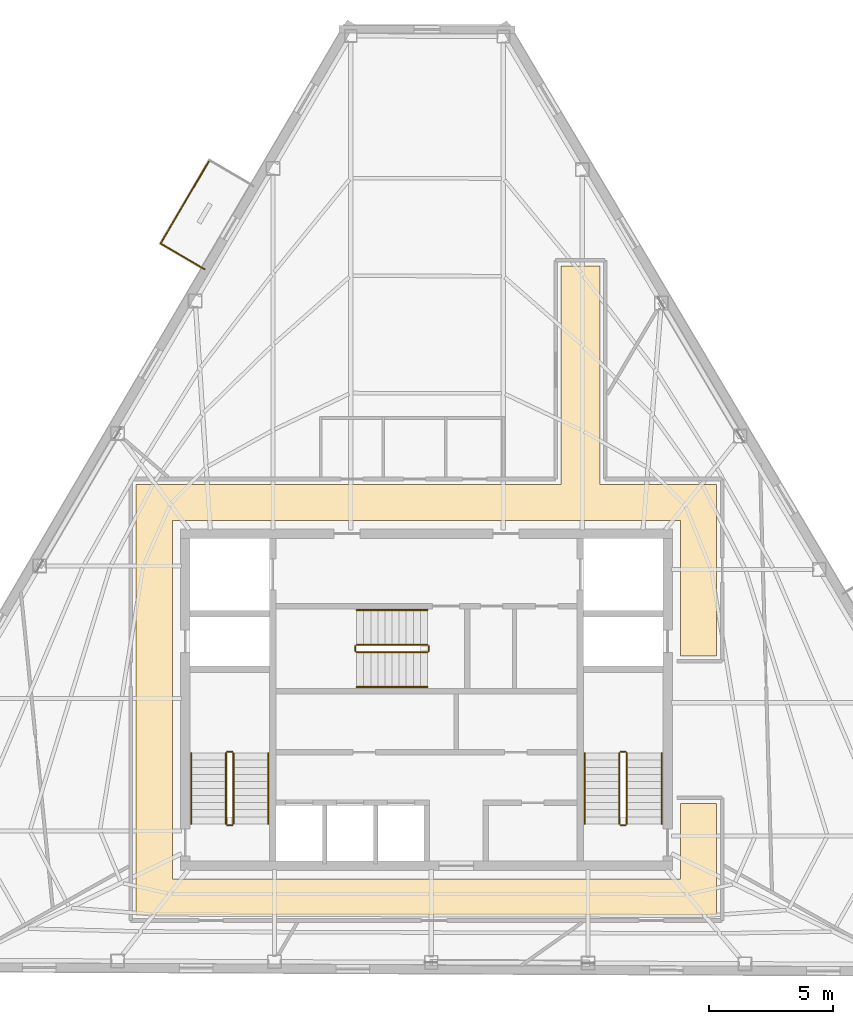
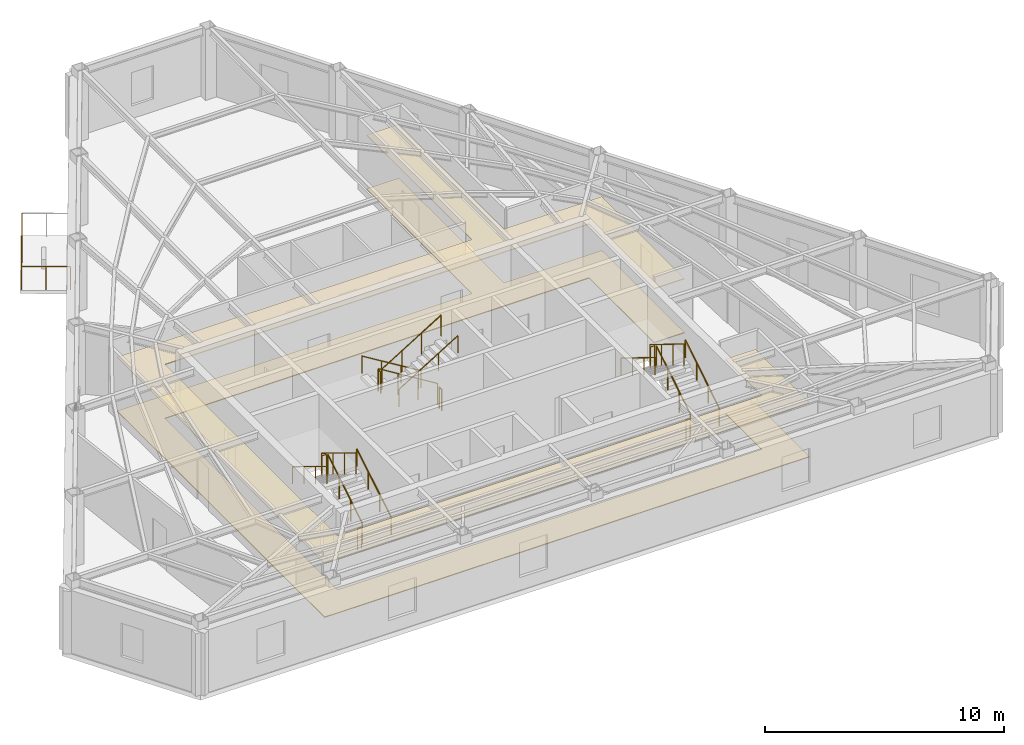
# One storey, part 8 of 9: 20 railings, 2 coverings.
"""IFC4 building model written with IfcOpenShell, lengths in metres."""

from ifc_helpers import new_model, si_unit, direction, frame, origin, origin_2d, place, context, subcontext, project, spatial, polyline, circle, outline, extrude, material, layer, layer_set, type_object, element, save


model = new_model("IFC4")

# Units and contexts
model_context = context("Model", 3, precision=1e-05, world=origin(), true_north=direction((0.0, 1.0)))
body_context = subcontext(model_context, "Body", "Model", "MODEL_VIEW")
ifc_project = project(units=[si_unit("LENGTHUNIT", "METRE"), si_unit("AREAUNIT", "SQUARE_METRE"), si_unit("VOLUMEUNIT", "CUBIC_METRE"), si_unit("PLANEANGLEUNIT", "RADIAN"), si_unit("MASSUNIT", "GRAM", prefix="KILO")], contexts=[model_context])

# Site, building, storey
site_placement = place(None, origin())
site = spatial("IfcSite", under=ifc_project, at=site_placement, CompositionType="ELEMENT")
building_placement = place(site_placement, origin())
building = spatial("IfcBuilding", under=site, at=building_placement, Name="Kavelnor Concourse Tower", CompositionType="ELEMENT")
storey_placement = place(building_placement, frame((0.0, 0.0, 270.300048828125)))
storey = spatial("IfcBuildingStorey", under=building, at=storey_placement, Name="L68", CompositionType="ELEMENT", Elevation=270.300048828125)

# Coverings
ifc_material_1 = material(Name="Mineral fibre acoustic ceiling tile")
ifc_layer_1 = layer(ifc_material_1, 0.0400390625, Name="Mineral fibre acoustic ceiling tile")
ifc_layer_set_1 = layer_set([ifc_layer_1], Name="Mineral fibre acoustic ceiling tile")
covering_type_1 = type_object("IfcCoveringType", Name="COV-CEILING-ACOUSTIC", PredefinedType="CEILING", material=ifc_layer_set_1)
covering_1_placement = place(storey_placement, frame((0.0, 0.0, 2.75)))
element("IfcCovering", 1, at=covering_1_placement, inside=storey, type_object=covering_type_1, Name="L68 Suspended Acoustic Ceiling", PredefinedType="CEILING", context=body_context, shape_type="SweptSolid", body=[
    extrude(outline(polyline([(44.97998046875, 24.77001953125), (49.68994140625, 24.77001953125), (49.68994140625, 17.8701171875), (48.22998046875, 17.8701171875), (48.22998046875, 23.31005859375), (27.77001953125, 23.31005859375), (27.77001953125, 8.889892578125), (48.22998046875, 8.889892578125), (48.22998046875, 11.929931640625), (49.68994140625, 11.929931640625), (49.68994140625, 7.429931640625), (26.31005859375, 7.429931640625), (26.31005859375, 24.77001953125), (43.419921875, 24.77001953125), (43.419921875, 33.56982421875), (44.97998046875, 33.56982421875), (44.97998046875, 24.77001953125)])), origin(), (0.0, 0.0, 1.0), 0.0400390625),
])
ifc_material_2 = material(Name="Honed bluestone and raised access floor finish", Category="masonry")
ifc_layer_2 = layer(ifc_material_2, 0.0400390625, Name="Honed bluestone and raised access floor finish")
ifc_layer_set_2 = layer_set([ifc_layer_2], Name="Honed bluestone and raised access floor finish")
covering_type_2 = type_object("IfcCoveringType", Name="COV-FLOOR-STONE", PredefinedType="FLOORING", material=ifc_layer_set_2)
covering_2_placement = place(storey_placement, frame((0.0, 0.0, 0.001953125)))
element("IfcCovering", 2, at=covering_2_placement, inside=storey, type_object=covering_type_2, Name="L68 Honed Bluestone Floor Finish", PredefinedType="FLOORING", context=body_context, shape_type="SweptSolid", body=[
    extrude(outline(polyline([(44.97998046875, 24.77001953125), (49.68994140625, 24.77001953125), (49.68994140625, 17.8701171875), (48.22998046875, 17.8701171875), (48.22998046875, 23.31005859375), (27.77001953125, 23.31005859375), (27.77001953125, 8.889892578125), (48.22998046875, 8.889892578125), (48.22998046875, 11.929931640625), (49.68994140625, 11.929931640625), (49.68994140625, 7.429931640625), (26.31005859375, 7.429931640625), (26.31005859375, 24.77001953125), (43.419921875, 24.77001953125), (43.419921875, 33.56982421875), (44.97998046875, 33.56982421875), (44.97998046875, 24.77001953125)])), origin(), (0.0, 0.0, 1.0), 0.0400390625),
])

# Railings
ifc_material_3 = material(Name="Steel Grade 350", Category="steel")
railing_type_1 = type_object("IfcRailingType", Name="RLG-GUARD-1100", PredefinedType="GUARDRAIL", material=ifc_material_3)
railing_1_placement = place(storey_placement, frame((30.22998046875, 11.10009765625, 0.175048828125)))
element("IfcRailing", 3, at=railing_1_placement, inside=storey, type_object=railing_type_1, Name="L68 ST1 stair guard 1", PredefinedType="GUARDRAIL", context=body_context, shape_type="SweptSolid", body=[
    extrude(circle(Radius=0.02392578125, at=origin_2d()), frame((0.0, 0.0, 1.076171875), z_axis=(0.0, 0.852159232446, 0.523282564737), x_axis=(-1.0, 0.0, 0.0)), (0.0, 0.0, 1.0), 3.34423828125),
    extrude(circle(Radius=0.02099609375, at=origin_2d()), origin(), (0.0, 0.0, 1.0), 1.052001953125),
    extrude(circle(Radius=0.02099609375, at=origin_2d()), frame((0.0, 0.949951171875, 0.583251953125)), (0.0, 0.0, 1.0), 1.052001953125),
    extrude(circle(Radius=0.02099609375, at=origin_2d()), frame((0.0, 1.89990234375, 1.166748046875)), (0.0, 0.0, 1.0), 1.052001953125),
    extrude(circle(Radius=0.02099609375, at=origin_2d()), frame((0.0, 2.849853515625, 1.75)), (0.0, 0.0, 1.0), 1.052001953125),
])
railing_2_placement = place(storey_placement, frame((30.179931640625, 14.0, 1.925048828125)))
element("IfcRailing", 4, at=railing_2_placement, inside=storey, type_object=railing_type_1, Name="L68 ST1 stair guard 2", PredefinedType="GUARDRAIL", context=body_context, shape_type="SweptSolid", body=[
    extrude(circle(Radius=0.02392578125, at=origin_2d()), frame((0.0, 0.0, 1.076171875), z_axis=(-1.0, 0.0, 0.0), x_axis=(0.0, -1.0, 0.0)), (0.0, 0.0, 1.0), 0.199951171875),
    extrude(circle(Radius=0.02099609375, at=origin_2d()), origin(), (0.0, 0.0, 1.0), 1.052001953125),
    extrude(circle(Radius=0.02099609375, at=origin_2d()), frame((-0.199951171875, 0.0, 0.0)), (0.0, 0.0, 1.0), 1.052001953125),
])
railing_3_placement = place(storey_placement, frame((29.929931640625, 13.949951171875, 2.099853515625)))
element("IfcRailing", 5, at=railing_3_placement, inside=storey, type_object=railing_type_1, Name="L68 ST1 stair guard 3", PredefinedType="GUARDRAIL", context=body_context, shape_type="SweptSolid", body=[
    extrude(circle(Radius=0.02392578125, at=origin_2d()), frame((0.0, 0.0, 1.076171875), z_axis=(0.0, -0.852159232446, 0.523282564737), x_axis=(1.0, 0.0, 0.0)), (0.0, 0.0, 1.0), 3.34423828125),
    extrude(circle(Radius=0.02099609375, at=origin_2d()), origin(), (0.0, 0.0, 1.0), 1.052001953125),
    extrude(circle(Radius=0.02099609375, at=origin_2d()), frame((0.0, -0.949951171875, 0.583251953125)), (0.0, 0.0, 1.0), 1.052001953125),
    extrude(circle(Radius=0.02099609375, at=origin_2d()), frame((0.0, -1.89990234375, 1.166748046875)), (0.0, 0.0, 1.0), 1.052001953125),
    extrude(circle(Radius=0.02099609375, at=origin_2d()), frame((0.0, -2.849853515625, 1.75)), (0.0, 0.0, 1.0), 1.052001953125),
])
railing_4_placement = place(storey_placement, frame((30.179931640625, 11.050048828125, 0.0)))
element("IfcRailing", 6, at=railing_4_placement, inside=storey, type_object=railing_type_1, Name="L68 ST1 stair guard 4", PredefinedType="GUARDRAIL", context=body_context, shape_type="SweptSolid", body=[
    extrude(circle(Radius=0.02392578125, at=origin_2d()), frame((0.0, 0.0, 1.076171875), z_axis=(-1.0, 0.0, 0.0), x_axis=(0.0, -1.0, 0.0)), (0.0, 0.0, 1.0), 0.199951171875),
    extrude(circle(Radius=0.02099609375, at=origin_2d()), origin(), (0.0, 0.0, 1.0), 1.052001953125),
    extrude(circle(Radius=0.02099609375, at=origin_2d()), frame((-0.199951171875, 0.0, 0.0)), (0.0, 0.0, 1.0), 1.052001953125),
])
railing_5_placement = place(storey_placement, frame((46.070068359375, 11.10009765625, 0.175048828125)))
element("IfcRailing", 7, at=railing_5_placement, inside=storey, type_object=railing_type_1, Name="L68 ST2 stair guard 1", PredefinedType="GUARDRAIL", context=body_context, shape_type="SweptSolid", body=[
    extrude(circle(Radius=0.02392578125, at=origin_2d()), frame((0.0, 0.0, 1.076171875), z_axis=(0.0, 0.852159232446, 0.523282564737), x_axis=(-1.0, 0.0, 0.0)), (0.0, 0.0, 1.0), 3.34423828125),
    extrude(circle(Radius=0.02099609375, at=origin_2d()), origin(), (0.0, 0.0, 1.0), 1.052001953125),
    extrude(circle(Radius=0.02099609375, at=origin_2d()), frame((0.0, 0.949951171875, 0.583251953125)), (0.0, 0.0, 1.0), 1.052001953125),
    extrude(circle(Radius=0.02099609375, at=origin_2d()), frame((0.0, 1.89990234375, 1.166748046875)), (0.0, 0.0, 1.0), 1.052001953125),
    extrude(circle(Radius=0.02099609375, at=origin_2d()), frame((0.0, 2.849853515625, 1.75)), (0.0, 0.0, 1.0), 1.052001953125),
])
railing_6_placement = place(storey_placement, frame((46.02001953125, 14.0, 1.925048828125)))
element("IfcRailing", 8, at=railing_6_placement, inside=storey, type_object=railing_type_1, Name="L68 ST2 stair guard 2", PredefinedType="GUARDRAIL", context=body_context, shape_type="SweptSolid", body=[
    extrude(circle(Radius=0.02392578125, at=origin_2d()), frame((0.0, 0.0, 1.076171875), z_axis=(-1.0, 0.0, 0.0), x_axis=(0.0, -1.0, 0.0)), (0.0, 0.0, 1.0), 0.199951171875),
    extrude(circle(Radius=0.02099609375, at=origin_2d()), origin(), (0.0, 0.0, 1.0), 1.052001953125),
    extrude(circle(Radius=0.02099609375, at=origin_2d()), frame((-0.199951171875, 0.0, 0.0)), (0.0, 0.0, 1.0), 1.052001953125),
])
railing_7_placement = place(storey_placement, frame((45.77001953125, 13.949951171875, 2.099853515625)))
element("IfcRailing", 9, at=railing_7_placement, inside=storey, type_object=railing_type_1, Name="L68 ST2 stair guard 3", PredefinedType="GUARDRAIL", context=body_context, shape_type="SweptSolid", body=[
    extrude(circle(Radius=0.02392578125, at=origin_2d()), frame((0.0, 0.0, 1.076171875), z_axis=(0.0, -0.852159232446, 0.523282564737), x_axis=(1.0, 0.0, 0.0)), (0.0, 0.0, 1.0), 3.34423828125),
    extrude(circle(Radius=0.02099609375, at=origin_2d()), origin(), (0.0, 0.0, 1.0), 1.052001953125),
    extrude(circle(Radius=0.02099609375, at=origin_2d()), frame((0.0, -0.949951171875, 0.583251953125)), (0.0, 0.0, 1.0), 1.052001953125),
    extrude(circle(Radius=0.02099609375, at=origin_2d()), frame((0.0, -1.89990234375, 1.166748046875)), (0.0, 0.0, 1.0), 1.052001953125),
    extrude(circle(Radius=0.02099609375, at=origin_2d()), frame((0.0, -2.849853515625, 1.75)), (0.0, 0.0, 1.0), 1.052001953125),
])
railing_8_placement = place(storey_placement, frame((46.02001953125, 11.050048828125, 0.0)))
element("IfcRailing", 10, at=railing_8_placement, inside=storey, type_object=railing_type_1, Name="L68 ST2 stair guard 4", PredefinedType="GUARDRAIL", context=body_context, shape_type="SweptSolid", body=[
    extrude(circle(Radius=0.02392578125, at=origin_2d()), frame((0.0, 0.0, 1.076171875), z_axis=(-1.0, 0.0, 0.0), x_axis=(0.0, -1.0, 0.0)), (0.0, 0.0, 1.0), 0.199951171875),
    extrude(circle(Radius=0.02099609375, at=origin_2d()), origin(), (0.0, 0.0, 1.0), 1.052001953125),
    extrude(circle(Radius=0.02099609375, at=origin_2d()), frame((-0.199951171875, 0.0, 0.0)), (0.0, 0.0, 1.0), 1.052001953125),
])
railing_9_placement = place(storey_placement, frame((38.0400390625, 18.31005859375, 0.175048828125)))
element("IfcRailing", 11, at=railing_9_placement, inside=storey, type_object=railing_type_1, Name="L68 ST3 stair guard 1", PredefinedType="GUARDRAIL", context=body_context, shape_type="SweptSolid", body=[
    extrude(circle(Radius=0.02392578125, at=origin_2d()), frame((0.0, 0.0, 1.076171875), z_axis=(-0.852179220489, 0.0, 0.52325001306), x_axis=(0.0, -1.0, 0.0)), (0.0, 0.0, 1.0), 3.344482421875),
    extrude(circle(Radius=0.02099609375, at=origin_2d()), origin(), (0.0, 0.0, 1.0), 1.052001953125),
    extrude(circle(Radius=0.02099609375, at=origin_2d()), frame((-0.949951171875, 0.0, 0.583251953125)), (0.0, 0.0, 1.0), 1.052001953125),
    extrude(circle(Radius=0.02099609375, at=origin_2d()), frame((-1.900146484375, 0.0, 1.166748046875)), (0.0, 0.0, 1.0), 1.052001953125),
    extrude(circle(Radius=0.02099609375, at=origin_2d()), frame((-2.85009765625, 0.0, 1.75)), (0.0, 0.0, 1.0), 1.052001953125),
])
railing_10_placement = place(storey_placement, frame((35.139892578125, 18.260009765625, 1.925048828125)))
element("IfcRailing", 12, at=railing_10_placement, inside=storey, type_object=railing_type_1, Name="L68 ST3 stair guard 2", PredefinedType="GUARDRAIL", context=body_context, shape_type="SweptSolid", body=[
    extrude(circle(Radius=0.02392578125, at=origin_2d()), frame((0.0, 0.0, 1.076171875), z_axis=(0.0, -1.0, 0.0), x_axis=(1.0, 0.0, 0.0)), (0.0, 0.0, 1.0), 0.199951171875),
    extrude(circle(Radius=0.02099609375, at=origin_2d()), origin(), (0.0, 0.0, 1.0), 1.052001953125),
    extrude(circle(Radius=0.02099609375, at=origin_2d()), frame((0.0, -0.199951171875, 0.0)), (0.0, 0.0, 1.0), 1.052001953125),
])
railing_11_placement = place(storey_placement, frame((35.18994140625, 18.010009765625, 2.099853515625)))
element("IfcRailing", 13, at=railing_11_placement, inside=storey, type_object=railing_type_1, Name="L68 ST3 stair guard 3", PredefinedType="GUARDRAIL", context=body_context, shape_type="SweptSolid", body=[
    extrude(circle(Radius=0.02392578125, at=origin_2d()), frame((0.0, 0.0, 1.076171875), z_axis=(0.852179220489, 0.0, 0.52325001306), x_axis=(0.0, 1.0, 0.0)), (0.0, 0.0, 1.0), 3.344482421875),
    extrude(circle(Radius=0.02099609375, at=origin_2d()), origin(), (0.0, 0.0, 1.0), 1.052001953125),
    extrude(circle(Radius=0.02099609375, at=origin_2d()), frame((0.949951171875, 0.0, 0.583251953125)), (0.0, 0.0, 1.0), 1.052001953125),
    extrude(circle(Radius=0.02099609375, at=origin_2d()), frame((1.900146484375, 0.0, 1.166748046875)), (0.0, 0.0, 1.0), 1.052001953125),
    extrude(circle(Radius=0.02099609375, at=origin_2d()), frame((2.85009765625, 0.0, 1.75)), (0.0, 0.0, 1.0), 1.052001953125),
])
railing_12_placement = place(storey_placement, frame((38.090087890625, 18.260009765625, 0.0)))
element("IfcRailing", 14, at=railing_12_placement, inside=storey, type_object=railing_type_1, Name="L68 ST3 stair guard 4", PredefinedType="GUARDRAIL", context=body_context, shape_type="SweptSolid", body=[
    extrude(circle(Radius=0.02392578125, at=origin_2d()), frame((0.0, 0.0, 1.076171875), z_axis=(0.0, -1.0, 0.0), x_axis=(1.0, 0.0, 0.0)), (0.0, 0.0, 1.0), 0.199951171875),
    extrude(circle(Radius=0.02099609375, at=origin_2d()), origin(), (0.0, 0.0, 1.0), 1.052001953125),
    extrude(circle(Radius=0.02099609375, at=origin_2d()), frame((0.0, -0.199951171875, 0.0)), (0.0, 0.0, 1.0), 1.052001953125),
])
railing_type_2 = type_object("IfcRailingType", Name="RLG-HANDRAIL-900", PredefinedType="HANDRAIL", material=ifc_material_3)
railing_13_placement = place(storey_placement, frame((31.6298828125, 11.10009765625, 0.175048828125)))
element("IfcRailing", 15, at=railing_13_placement, inside=storey, type_object=railing_type_2, Name="L68 ST1 stair handrail 1", PredefinedType="HANDRAIL", context=body_context, shape_type="SweptSolid", body=[
    extrude(circle(Radius=0.02392578125, at=origin_2d()), frame((0.0, 0.0, 0.8759765625), z_axis=(0.0, 0.852159232446, 0.523282564737), x_axis=(-1.0, 0.0, 0.0)), (0.0, 0.0, 1.0), 3.34423828125),
    extrude(circle(Radius=0.02099609375, at=origin_2d()), origin(), (0.0, 0.0, 1.0), 0.851806640625),
    extrude(circle(Radius=0.02099609375, at=origin_2d()), frame((0.0, 0.949951171875, 0.583251953125)), (0.0, 0.0, 1.0), 0.851806640625),
    extrude(circle(Radius=0.02099609375, at=origin_2d()), frame((0.0, 1.89990234375, 1.166748046875)), (0.0, 0.0, 1.0), 0.851806640625),
    extrude(circle(Radius=0.02099609375, at=origin_2d()), frame((0.0, 2.849853515625, 1.75)), (0.0, 0.0, 1.0), 0.851806640625),
])
railing_14_placement = place(storey_placement, frame((28.530029296875, 13.949951171875, 2.099853515625)))
element("IfcRailing", 16, at=railing_14_placement, inside=storey, type_object=railing_type_2, Name="L68 ST1 stair handrail 2", PredefinedType="HANDRAIL", context=body_context, shape_type="SweptSolid", body=[
    extrude(circle(Radius=0.02392578125, at=origin_2d()), frame((0.0, 0.0, 0.8759765625), z_axis=(0.0, -0.852159232446, 0.523282564737), x_axis=(1.0, 0.0, 0.0)), (0.0, 0.0, 1.0), 3.34423828125),
    extrude(circle(Radius=0.02099609375, at=origin_2d()), origin(), (0.0, 0.0, 1.0), 0.851806640625),
    extrude(circle(Radius=0.02099609375, at=origin_2d()), frame((0.0, -0.949951171875, 0.583251953125)), (0.0, 0.0, 1.0), 0.851806640625),
    extrude(circle(Radius=0.02099609375, at=origin_2d()), frame((0.0, -1.89990234375, 1.166748046875)), (0.0, 0.0, 1.0), 0.851806640625),
    extrude(circle(Radius=0.02099609375, at=origin_2d()), frame((0.0, -2.849853515625, 1.75)), (0.0, 0.0, 1.0), 0.851806640625),
])
railing_15_placement = place(storey_placement, frame((47.469970703125, 11.10009765625, 0.175048828125)))
element("IfcRailing", 17, at=railing_15_placement, inside=storey, type_object=railing_type_2, Name="L68 ST2 stair handrail 1", PredefinedType="HANDRAIL", context=body_context, shape_type="SweptSolid", body=[
    extrude(circle(Radius=0.02392578125, at=origin_2d()), frame((0.0, 0.0, 0.8759765625), z_axis=(0.0, 0.852159232446, 0.523282564737), x_axis=(-1.0, 0.0, 0.0)), (0.0, 0.0, 1.0), 3.34423828125),
    extrude(circle(Radius=0.02099609375, at=origin_2d()), origin(), (0.0, 0.0, 1.0), 0.851806640625),
    extrude(circle(Radius=0.02099609375, at=origin_2d()), frame((0.0, 0.949951171875, 0.583251953125)), (0.0, 0.0, 1.0), 0.851806640625),
    extrude(circle(Radius=0.02099609375, at=origin_2d()), frame((0.0, 1.89990234375, 1.166748046875)), (0.0, 0.0, 1.0), 0.851806640625),
    extrude(circle(Radius=0.02099609375, at=origin_2d()), frame((0.0, 2.849853515625, 1.75)), (0.0, 0.0, 1.0), 0.851806640625),
])
railing_16_placement = place(storey_placement, frame((44.3701171875, 13.949951171875, 2.099853515625)))
element("IfcRailing", 18, at=railing_16_placement, inside=storey, type_object=railing_type_2, Name="L68 ST2 stair handrail 2", PredefinedType="HANDRAIL", context=body_context, shape_type="SweptSolid", body=[
    extrude(circle(Radius=0.02392578125, at=origin_2d()), frame((0.0, 0.0, 0.8759765625), z_axis=(0.0, -0.852159232446, 0.523282564737), x_axis=(1.0, 0.0, 0.0)), (0.0, 0.0, 1.0), 3.34423828125),
    extrude(circle(Radius=0.02099609375, at=origin_2d()), origin(), (0.0, 0.0, 1.0), 0.851806640625),
    extrude(circle(Radius=0.02099609375, at=origin_2d()), frame((0.0, -0.949951171875, 0.583251953125)), (0.0, 0.0, 1.0), 0.851806640625),
    extrude(circle(Radius=0.02099609375, at=origin_2d()), frame((0.0, -1.89990234375, 1.166748046875)), (0.0, 0.0, 1.0), 0.851806640625),
    extrude(circle(Radius=0.02099609375, at=origin_2d()), frame((0.0, -2.849853515625, 1.75)), (0.0, 0.0, 1.0), 0.851806640625),
])
railing_17_placement = place(storey_placement, frame((38.0400390625, 19.7099609375, 0.175048828125)))
element("IfcRailing", 19, at=railing_17_placement, inside=storey, type_object=railing_type_2, Name="L68 ST3 stair handrail 1", PredefinedType="HANDRAIL", context=body_context, shape_type="SweptSolid", body=[
    extrude(circle(Radius=0.02392578125, at=origin_2d()), frame((0.0, 0.0, 0.8759765625), z_axis=(-0.852179220489, 0.0, 0.52325001306), x_axis=(0.0, -1.0, 0.0)), (0.0, 0.0, 1.0), 3.344482421875),
    extrude(circle(Radius=0.02099609375, at=origin_2d()), origin(), (0.0, 0.0, 1.0), 0.851806640625),
    extrude(circle(Radius=0.02099609375, at=origin_2d()), frame((-0.949951171875, 0.0, 0.583251953125)), (0.0, 0.0, 1.0), 0.851806640625),
    extrude(circle(Radius=0.02099609375, at=origin_2d()), frame((-1.900146484375, 0.0, 1.166748046875)), (0.0, 0.0, 1.0), 0.851806640625),
    extrude(circle(Radius=0.02099609375, at=origin_2d()), frame((-2.85009765625, 0.0, 1.75)), (0.0, 0.0, 1.0), 0.851806640625),
])
railing_18_placement = place(storey_placement, frame((35.18994140625, 16.610107421875, 2.099853515625)))
element("IfcRailing", 20, at=railing_18_placement, inside=storey, type_object=railing_type_2, Name="L68 ST3 stair handrail 2", PredefinedType="HANDRAIL", context=body_context, shape_type="SweptSolid", body=[
    extrude(circle(Radius=0.02392578125, at=origin_2d()), frame((0.0, 0.0, 0.8759765625), z_axis=(0.852179220489, 0.0, 0.52325001306), x_axis=(0.0, 1.0, 0.0)), (0.0, 0.0, 1.0), 3.344482421875),
    extrude(circle(Radius=0.02099609375, at=origin_2d()), origin(), (0.0, 0.0, 1.0), 0.851806640625),
    extrude(circle(Radius=0.02099609375, at=origin_2d()), frame((0.949951171875, 0.0, 0.583251953125)), (0.0, 0.0, 1.0), 0.851806640625),
    extrude(circle(Radius=0.02099609375, at=origin_2d()), frame((1.900146484375, 0.0, 1.166748046875)), (0.0, 0.0, 1.0), 0.851806640625),
    extrude(circle(Radius=0.02099609375, at=origin_2d()), frame((2.85009765625, 0.0, 1.75)), (0.0, 0.0, 1.0), 0.851806640625),
])
ifc_material_4 = material(Name="Architectural bronze-anodised aluminium", Category="aluminium")
railing_type_3 = type_object("IfcRailingType", Name="RLG-TERRACE-1200", PredefinedType="BALUSTRADE", material=ifc_material_4)
railing_19_placement = place(storey_placement, frame((29.261474609375, 37.820068359375, 0.0)))
element("IfcRailing", 21, at=railing_19_placement, inside=storey, type_object=railing_type_3, Name="L68 Tree Balcony 2 Guardrail F", PredefinedType="BALUSTRADE", context=body_context, shape_type="SweptSolid", body=[
    extrude(circle(Radius=0.02392578125, at=origin_2d()), frame((0.0, 0.0, 1.17578125), z_axis=(-0.506087635238, -0.862482060949, 0.0), x_axis=(0.862482060949, -0.506087635238, 0.0)), (0.0, 0.0, 1.0), 3.880126953125),
    extrude(circle(Radius=0.02099609375, at=origin_2d()), origin(), (0.0, 0.0, 1.0), 1.15185546875),
    extrude(circle(Radius=0.02099609375, at=origin_2d()), frame((-0.490966796875, -0.836669921875, 0.0)), (0.0, 0.0, 1.0), 1.15185546875),
    extrude(circle(Radius=0.02099609375, at=origin_2d()), frame((-0.98193359375, -1.67333984375, 0.0)), (0.0, 0.0, 1.0), 1.15185546875),
    extrude(circle(Radius=0.02099609375, at=origin_2d()), frame((-1.47265625, -2.509765625, 0.0)), (0.0, 0.0, 1.0), 1.15185546875),
    extrude(circle(Radius=0.02099609375, at=origin_2d()), frame((-1.963623046875, -3.346435546875, 0.0)), (0.0, 0.0, 1.0), 1.15185546875),
])
railing_20_placement = place(storey_placement, frame((27.2978515625, 34.4736328125, 0.0)))
element("IfcRailing", 22, at=railing_20_placement, inside=storey, type_object=railing_type_3, Name="L68 Tree Balcony 2 Guardrail R", PredefinedType="BALUSTRADE", context=body_context, shape_type="SweptSolid", body=[
    extrude(circle(Radius=0.02392578125, at=origin_2d()), frame((0.0, 0.0, 1.17578125), z_axis=(0.862506192285, -0.506046508011, 0.0), x_axis=(0.506046508011, 0.862506192285, 0.0)), (0.0, 0.0, 1.0), 2.0498046875),
    extrude(circle(Radius=0.02099609375, at=origin_2d()), origin(), (0.0, 0.0, 1.0), 1.15185546875),
    extrude(circle(Radius=0.02099609375, at=origin_2d()), frame((0.884033203125, -0.5185546875, 0.0)), (0.0, 0.0, 1.0), 1.15185546875),
    extrude(circle(Radius=0.02099609375, at=origin_2d()), frame((1.76806640625, -1.037353515625, 0.0)), (0.0, 0.0, 1.0), 1.15185546875),
])

save(model, "model.ifc")
